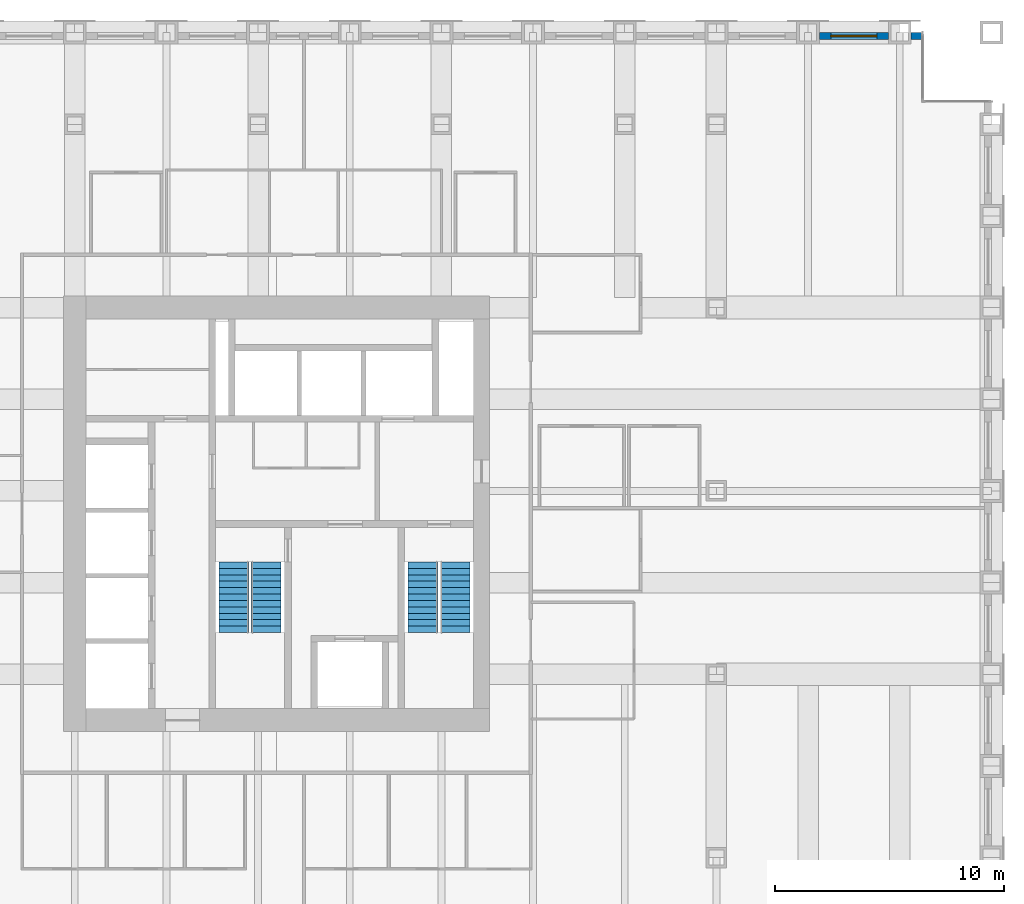
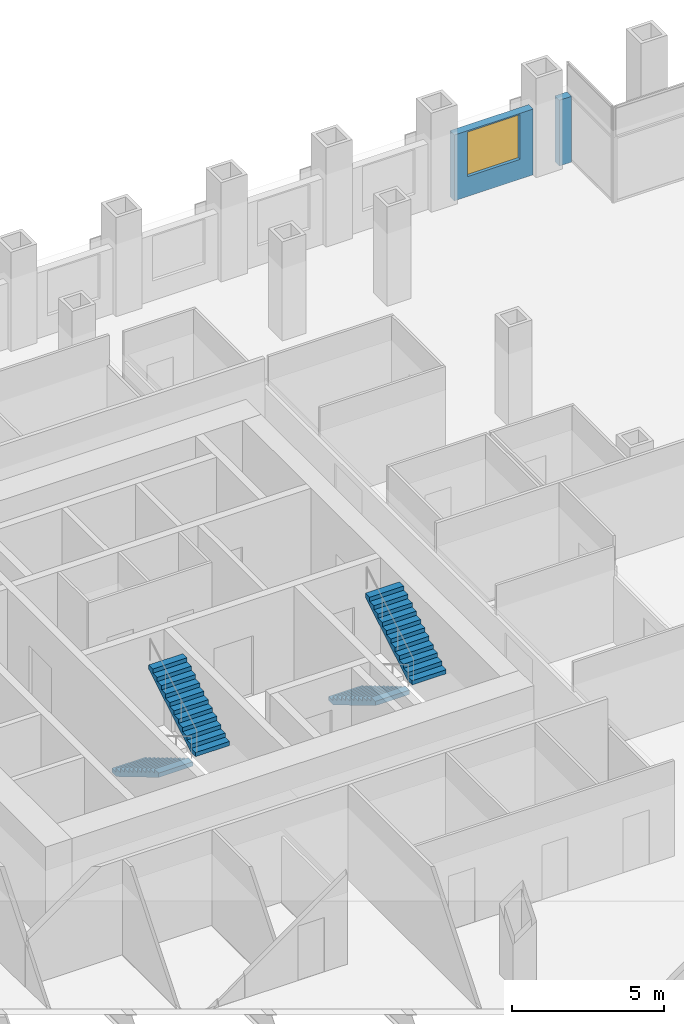
# One storey, part 15 of 17: 4 stair flights, 2 walls, 1 window, 1 opening, 2 elements without a shape of their own.
"""IFC4 building model written with IfcOpenShell, lengths in metres."""

from ifc_helpers import new_model, si_unit, direction, frame, frame_2d, origin, place, context, subcontext, project, spatial, polyline, rectangle, outline, extrude, material, layer, layer_set, type_object, element, fill, aggregate, save


model = new_model("IFC4")

# Units and contexts
model_context = context("Model", 3, precision=1e-05, world=origin(), true_north=direction((0.0, 1.0)))
body_context = subcontext(model_context, "Body", "Model", "MODEL_VIEW")
ifc_project = project(units=[si_unit("LENGTHUNIT", "METRE"), si_unit("AREAUNIT", "SQUARE_METRE"), si_unit("VOLUMEUNIT", "CUBIC_METRE"), si_unit("PLANEANGLEUNIT", "RADIAN"), si_unit("MASSUNIT", "GRAM", prefix="KILO")], contexts=[model_context])

# Site, building, storey
site_placement = place(None, origin())
site = spatial("IfcSite", under=ifc_project, at=site_placement, CompositionType="ELEMENT")
building_placement = place(site_placement, origin())
building = spatial("IfcBuilding", under=site, at=building_placement, Name="Rimbunsela Tower", CompositionType="ELEMENT")
storey_placement = place(building_placement, frame((0.0, 0.0, 101.39990234375)))
storey = spatial("IfcBuildingStorey", under=building, at=storey_placement, Name="L24", CompositionType="ELEMENT", Elevation=101.39990234375)

# Wall, opening, window
ifc_material_1 = material(Name="Precast concrete fc' 35 MPa", Category="concrete")
ifc_layer = layer(ifc_material_1, 0.300048828125)
ifc_layer_set = layer_set([ifc_layer], Name="Precast concrete fc' 35 MPa")
wall_type = type_object("IfcWallType", Name="Precast facade panel 300", PredefinedType="ELEMENTEDWALL", material=ifc_layer_set)
wall_1_placement = place(storey_placement, frame((53.5, 47.85009765625, 0.0), z_axis=(0.0, 0.0, 1.0), x_axis=(-1.0, 0.0, 0.0)))
wall_1 = element("IfcWall", 1, at=wall_1_placement, inside=storey, type_object=wall_type, Name="Facade panel N L24", PredefinedType="ELEMENTEDWALL", context=body_context, shape_type="SweptSolid", body=[
    extrude(rectangle(XDim=3.0, YDim=0.300048828125, at=frame_2d((1.5, 0.0))), origin(), (0.0, 0.0, 1.0), 2.650146484375),
])
opening_placement = place(wall_1_placement, frame((0.5, 0.0, 0.800048828125)))
opening = element("IfcOpeningElement", 2, at=opening_placement, cuts=wall_1, Name="Opening W7", PredefinedType="OPENING", context=body_context, shape_type="SweptSolid", body=[
    extrude(rectangle(XDim=2.0, YDim=1.800048828125, at=frame_2d((1.0, 0.89990234375))), frame((0.0, 0.159912109375, 0.0), z_axis=(0.0, -1.0, 0.0), x_axis=(1.0, 0.0, 0.0)), (0.0, 0.0, 1.0), 0.320068359375),
])
ifc_material_2 = material(Name="Clear glass in aluminium frame", Category="aluminium")
window_type = type_object("IfcWindowType", Name="Window W7 2000x1800", PartitioningType="DOUBLE_PANEL_VERTICAL", PredefinedType="WINDOW", material=ifc_material_2)
window_placement = place(opening_placement, origin())
window = element("IfcWindow", 3, at=window_placement, inside=storey, type_object=window_type, Name="Window L24", OverallHeight=1.800048828125, OverallWidth=2.0, PartitioningType="SINGLE_PANEL", PredefinedType="WINDOW", context=body_context, shape_type="SweptSolid", body=[
    extrude(rectangle(XDim=2.0, YDim=1.800048828125, at=frame_2d((1.0, 0.89990234375))), frame((0.0, 0.030029296875, 0.0), z_axis=(0.0, -1.0, 0.0), x_axis=(1.0, 0.0, 0.0)), (0.0, 0.0, 1.0), 0.06005859375),
])
fill(opening, window)

# Wall
wall_2_placement = place(storey_placement, frame((54.969970703125, 47.85009765625, 0.0), z_axis=(0.0, 0.0, 1.0), x_axis=(-1.0, 0.0, 0.0)))
element("IfcWall", 4, at=wall_2_placement, inside=storey, type_object=wall_type, Name="Facade panel N L24", PredefinedType="ELEMENTEDWALL", context=body_context, shape_type="SweptSolid", body=[
    extrude(rectangle(XDim=0.469970703125, YDim=0.300048828125, at=frame_2d((0.23486328125, 0.0))), origin(), (0.0, 0.0, 1.0), 2.650146484375),
])

# Stair, stair flights
ifc_material_3 = material(Name="Concrete fc' 35 MPa", Category="concrete")
stair_type = type_object("IfcStairType", Name="Exit stair 24 risers", PredefinedType="HALF_TURN_STAIR", material=ifc_material_3)
stair_1_placement = place(storey_placement, origin())
stair_1 = element("IfcStair", 5, at=stair_1_placement, inside=storey, type_object=stair_type, Name="Exit stair A L24", PredefinedType="HALF_TURN_STAIR")
ifc_material_4 = material(Name="Concrete fc' 35 MPa", Category="concrete")
stair_flight_type = type_object("IfcStairFlightType", Name="Stair flight 12 risers 167", PredefinedType="STRAIGHT", material=ifc_material_4)
stair_flight_1_placement = place(storey_placement, frame((24.949951171875, 24.89990234375, 0.0), z_axis=(0.0, 0.0, 1.0), x_axis=(0.0, -1.0, 0.0)))
stair_flight_1 = element("IfcStairFlight", 6, at=stair_flight_1_placement, type_object=stair_flight_type, Name="ST-A flight 1", NumberOfRisers=12, NumberOfTreads=11, PredefinedType="STRAIGHT", RiserHeight=0.166666667, TreadLength=0.28, context=body_context, shape_type="SweptSolid", body=[
    extrude(outline(polyline([(0.0, 0.0), (0.0, 0.166748046875), (0.280029296875, 0.166748046875), (0.280029296875, 0.333251953125), (0.56005859375, 0.333251953125), (0.56005859375, 0.5), (0.840087890625, 0.5), (0.840087890625, 0.666748046875), (1.1201171875, 0.666748046875), (1.1201171875, 0.833251953125), (1.39990234375, 0.833251953125), (1.39990234375, 1.0), (1.679931640625, 1.0), (1.679931640625, 1.166748046875), (1.9599609375, 1.166748046875), (1.9599609375, 1.333251953125), (2.239990234375, 1.333251953125), (2.239990234375, 1.5), (2.52001953125, 1.5), (2.52001953125, 1.666748046875), (2.800048828125, 1.666748046875), (2.800048828125, 1.833251953125), (3.080078125, 1.833251953125), (3.080078125, 2.0), (3.080078125, 1.658935546875), (0.29296875, 0.0), (0.0, 0.0)])), frame((0.0, 0.64990234375, 0.0), z_axis=(0.0, -1.0, 0.0), x_axis=(1.0, 0.0, 0.0)), (0.0, 0.0, 1.0), 1.300048828125),
])
stair_flight_2_placement = place(storey_placement, frame((26.35009765625, 21.820068359375, 2.0), z_axis=(0.0, 0.0, 1.0), x_axis=(0.0, 1.0, 0.0)))
stair_flight_2 = element("IfcStairFlight", 7, at=stair_flight_2_placement, type_object=stair_flight_type, Name="ST-A flight 2", NumberOfRisers=12, NumberOfTreads=11, PredefinedType="STRAIGHT", RiserHeight=0.166666667, TreadLength=0.28, context=body_context, shape_type="SweptSolid", body=[
    extrude(outline(polyline([(0.0, 0.0), (0.0, 0.166748046875), (0.280029296875, 0.166748046875), (0.280029296875, 0.333251953125), (0.56005859375, 0.333251953125), (0.56005859375, 0.5), (0.840087890625, 0.5), (0.840087890625, 0.666748046875), (1.1201171875, 0.666748046875), (1.1201171875, 0.833251953125), (1.39990234375, 0.833251953125), (1.39990234375, 1.0), (1.679931640625, 1.0), (1.679931640625, 1.166748046875), (1.9599609375, 1.166748046875), (1.9599609375, 1.333251953125), (2.239990234375, 1.333251953125), (2.239990234375, 1.5), (2.52001953125, 1.5), (2.52001953125, 1.666748046875), (2.800048828125, 1.666748046875), (2.800048828125, 1.833251953125), (3.080078125, 1.833251953125), (3.080078125, 2.0), (3.080078125, 1.658935546875), (0.29296875, 0.0), (0.0, 0.0)])), frame((0.0, 0.64990234375, 0.0), z_axis=(0.0, -1.0, 0.0), x_axis=(1.0, 0.0, 0.0)), (0.0, 0.0, 1.0), 1.300048828125),
])
aggregate(stair_1, [stair_flight_1, stair_flight_2])

stair_2_placement = place(storey_placement, origin())
stair_2 = element("IfcStair", 8, at=stair_2_placement, inside=storey, type_object=stair_type, Name="Exit stair B L24", PredefinedType="HALF_TURN_STAIR")
stair_flight_3_placement = place(storey_placement, frame((33.199951171875, 24.89990234375, 0.0), z_axis=(0.0, 0.0, 1.0), x_axis=(0.0, -1.0, 0.0)))
stair_flight_3 = element("IfcStairFlight", 9, at=stair_flight_3_placement, type_object=stair_flight_type, Name="ST-B flight 1", NumberOfRisers=12, NumberOfTreads=11, PredefinedType="STRAIGHT", RiserHeight=0.166666667, TreadLength=0.28, context=body_context, shape_type="SweptSolid", body=[
    extrude(outline(polyline([(0.0, 0.0), (0.0, 0.166748046875), (0.280029296875, 0.166748046875), (0.280029296875, 0.333251953125), (0.56005859375, 0.333251953125), (0.56005859375, 0.5), (0.840087890625, 0.5), (0.840087890625, 0.666748046875), (1.1201171875, 0.666748046875), (1.1201171875, 0.833251953125), (1.39990234375, 0.833251953125), (1.39990234375, 1.0), (1.679931640625, 1.0), (1.679931640625, 1.166748046875), (1.9599609375, 1.166748046875), (1.9599609375, 1.333251953125), (2.239990234375, 1.333251953125), (2.239990234375, 1.5), (2.52001953125, 1.5), (2.52001953125, 1.666748046875), (2.800048828125, 1.666748046875), (2.800048828125, 1.833251953125), (3.080078125, 1.833251953125), (3.080078125, 2.0), (3.080078125, 1.658935546875), (0.29296875, 0.0), (0.0, 0.0)])), frame((0.0, 0.64990234375, 0.0), z_axis=(0.0, -1.0, 0.0), x_axis=(1.0, 0.0, 0.0)), (0.0, 0.0, 1.0), 1.300048828125),
])
stair_flight_4_placement = place(storey_placement, frame((34.60009765625, 21.820068359375, 2.0), z_axis=(0.0, 0.0, 1.0), x_axis=(0.0, 1.0, 0.0)))
stair_flight_4 = element("IfcStairFlight", 10, at=stair_flight_4_placement, type_object=stair_flight_type, Name="ST-B flight 2", NumberOfRisers=12, NumberOfTreads=11, PredefinedType="STRAIGHT", RiserHeight=0.166666667, TreadLength=0.28, context=body_context, shape_type="SweptSolid", body=[
    extrude(outline(polyline([(0.0, 0.0), (0.0, 0.166748046875), (0.280029296875, 0.166748046875), (0.280029296875, 0.333251953125), (0.56005859375, 0.333251953125), (0.56005859375, 0.5), (0.840087890625, 0.5), (0.840087890625, 0.666748046875), (1.1201171875, 0.666748046875), (1.1201171875, 0.833251953125), (1.39990234375, 0.833251953125), (1.39990234375, 1.0), (1.679931640625, 1.0), (1.679931640625, 1.166748046875), (1.9599609375, 1.166748046875), (1.9599609375, 1.333251953125), (2.239990234375, 1.333251953125), (2.239990234375, 1.5), (2.52001953125, 1.5), (2.52001953125, 1.666748046875), (2.800048828125, 1.666748046875), (2.800048828125, 1.833251953125), (3.080078125, 1.833251953125), (3.080078125, 2.0), (3.080078125, 1.658935546875), (0.29296875, 0.0), (0.0, 0.0)])), frame((0.0, 0.64990234375, 0.0), z_axis=(0.0, -1.0, 0.0), x_axis=(1.0, 0.0, 0.0)), (0.0, 0.0, 1.0), 1.300048828125),
])
aggregate(stair_2, [stair_flight_3, stair_flight_4])

save(model, "model.ifc")
